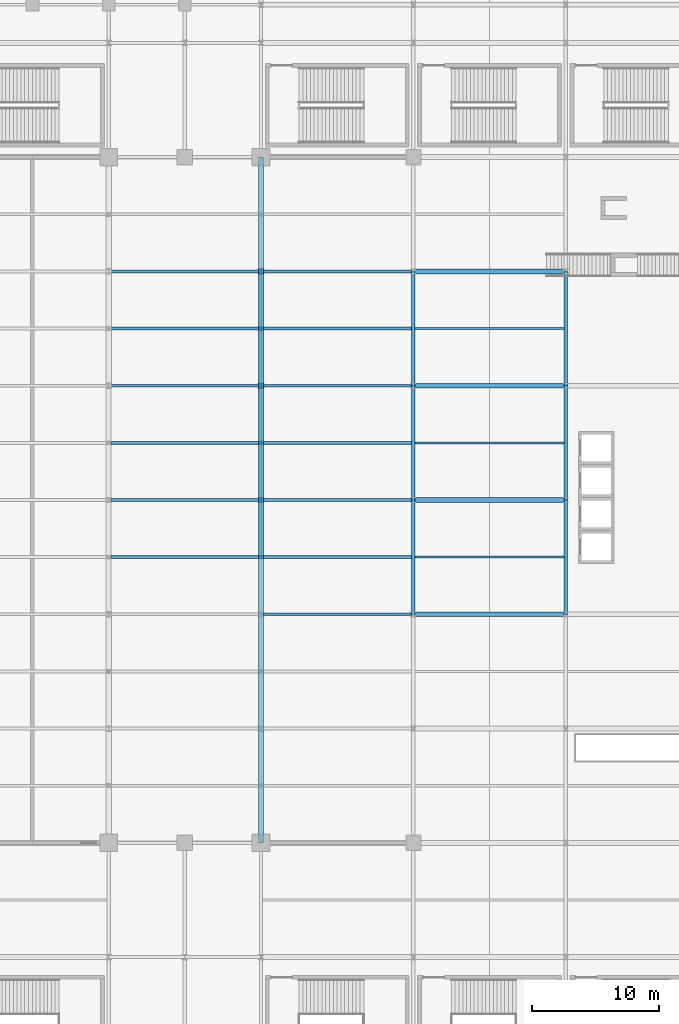
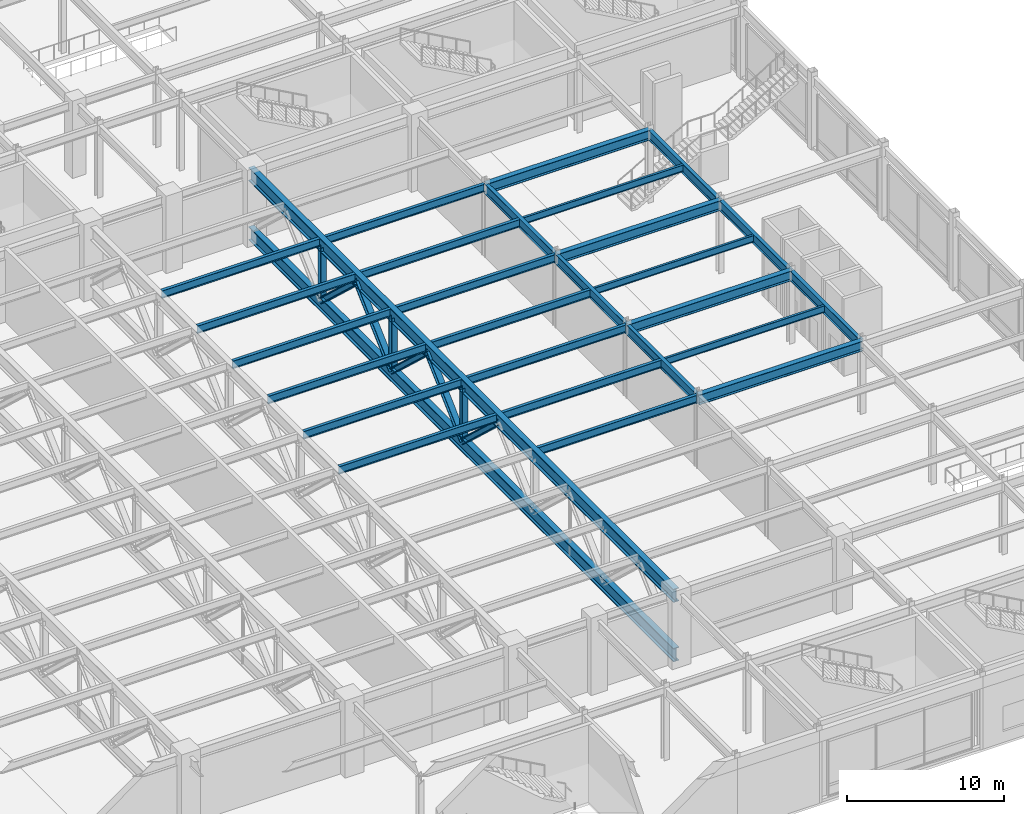
# One storey, part 41 of 108: 27 beams, 9 members.
"""IFC4 building model written with IfcOpenShell, lengths in metres."""

from ifc_helpers import new_model, si_unit, direction, frame, origin, origin_2d, place, context, subcontext, project, spatial, i_section, extrude, material, material_profile, profile_set, type_object, element, save


model = new_model("IFC4")

# Units and contexts
model_context = context("Model", 3, precision=1e-05, world=origin(), true_north=direction((0.0, 1.0)))
body_context = subcontext(model_context, "Body", "Model", "MODEL_VIEW")
ifc_project = project(units=[si_unit("LENGTHUNIT", "METRE"), si_unit("AREAUNIT", "SQUARE_METRE"), si_unit("VOLUMEUNIT", "CUBIC_METRE"), si_unit("PLANEANGLEUNIT", "RADIAN"), si_unit("MASSUNIT", "GRAM", prefix="KILO")], contexts=[model_context])

# Site, building, storey
site_placement = place(None, origin())
site = spatial("IfcSite", under=ifc_project, at=site_placement, CompositionType="ELEMENT")
building_placement = place(site_placement, origin())
building = spatial("IfcBuilding", under=site, at=building_placement, Name="Kaldorvane Square Convention Centre", CompositionType="ELEMENT")
storey_placement = place(building_placement, frame((0.0, 0.0, 12.0)))
storey = spatial("IfcBuildingStorey", under=building, at=storey_placement, Name="L02", CompositionType="ELEMENT", Elevation=12.0)

# Beams
ifc_material = material(Name="Steel ASTM A992 Gr. 50", Category="steel")
ifc_material_profile_1 = material_profile(ifc_material, i_section(OverallWidth=0.2666015625, OverallDepth=0.762298583984375, WebThickness=0.014404296875, FlangeThickness=0.0216064453125, FilletRadius=0.0164947509765625, at=origin_2d()), Name="W30X116")
ifc_profile_set_1 = profile_set([ifc_material_profile_1], Name="Steel ASTM A992 Gr. 50")
beam_type_1 = type_object("IfcBeamType", Name="BM-GR-W30X116", PredefinedType="BEAM", material=ifc_profile_set_1)
for number, where, z_axis, x_axis, name in (
    (1, (114.0, 36.0, 5.264801025390625), (0.0, 1.0, 0.0), (-1.0, 0.0, 0.0), "Transverse Girder (L02)"),
    (2, (114.0, 45.0, 5.264801025390625), (0.0, 1.0, 0.0), (-1.0, 0.0, 0.0), "Transverse Girder (L02)"),
    (3, (114.0, 54.0, 5.264801025390625), (0.0, 1.0, 0.0), (-1.0, 0.0, 0.0), "Transverse Girder (L02)"),
    (4, (126.0, 36.0, 5.264801025390625), (0.0, 1.0, 0.0), (-1.0, 0.0, 0.0), "Transverse Girder (L02)"),
    (5, (126.0, 45.0, 5.264801025390625), (0.0, 1.0, 0.0), (-1.0, 0.0, 0.0), "Transverse Girder (L02)"),
    (6, (126.0, 54.0, 5.264801025390625), (0.0, 1.0, 0.0), (-1.0, 0.0, 0.0), "Transverse Girder (L02)"),
):
    element("IfcBeam", number, at=place(storey_placement, frame(where, z_axis=z_axis, x_axis=x_axis)), inside=storey, type_object=beam_type_1, Name=name, PredefinedType="BEAM", context=body_context, shape_type="SweptSolid", body=[
        extrude(i_section(OverallWidth=0.2666015625, OverallDepth=0.762298583984375, WebThickness=0.014404296875, FlangeThickness=0.0216064453125, FilletRadius=0.0164947509765625, at=origin_2d()), origin(), (0.0, 0.0, 1.0), 9.0),
    ])
ifc_material_profile_2 = material_profile(ifc_material, i_section(OverallWidth=0.380706787109375, OverallDepth=0.773193359375, WebThickness=0.0166015625, FlangeThickness=0.027099609375, FilletRadius=0.0164947509765625, at=origin_2d()), Name="W30X173")
ifc_profile_set_2 = profile_set([ifc_material_profile_2], Name="Steel ASTM A992 Gr. 50")
beam_type_2 = type_object("IfcBeamType", Name="BM-GR-W30X173", PredefinedType="BEAM", material=ifc_profile_set_2)
for number, where, z_axis, x_axis, name in (
    (7, (114.0, 36.0, 5.2593994140625), (1.0, 0.0, 0.0), (0.0, 1.0, 0.0), "Primary Girder (L02)"),
    (8, (114.0, 45.0, 5.2593994140625), (1.0, 0.0, 0.0), (0.0, 1.0, 0.0), "Primary Girder (L02)"),
    (9, (114.0, 54.0, 5.2593994140625), (1.0, 0.0, 0.0), (0.0, 1.0, 0.0), "Primary Girder (L02)"),
    (10, (114.0, 63.0, 5.2593994140625), (1.0, 0.0, 0.0), (0.0, 1.0, 0.0), "Primary Girder (L02)"),
):
    element("IfcBeam", number, at=place(storey_placement, frame(where, z_axis=z_axis, x_axis=x_axis)), inside=storey, type_object=beam_type_2, Name=name, PredefinedType="BEAM", context=body_context, shape_type="SweptSolid", body=[
        extrude(i_section(OverallWidth=0.380706787109375, OverallDepth=0.773193359375, WebThickness=0.0166015625, FlangeThickness=0.027099609375, FilletRadius=0.0164947509765625, at=origin_2d()), origin(), (0.0, 0.0, 1.0), 12.0),
    ])
ifc_material_profile_3 = material_profile(ifc_material, i_section(OverallWidth=0.1658935546875, OverallDepth=0.5290985107421875, WebThickness=0.00970458984375, FlangeThickness=0.0135955810546875, FilletRadius=0.0126953125, at=origin_2d()), Name="W21X50")
ifc_profile_set_3 = profile_set([ifc_material_profile_3], Name="Steel ASTM A992 Gr. 50")
beam_type_3 = type_object("IfcBeamType", Name="BM-JS-W21X50", PredefinedType="JOIST", material=ifc_profile_set_3)
for number, where, z_axis, x_axis, name in (
    (11, (114.13330078125, 40.5, 5.3813934326171875), (1.0, 0.0, 0.0), (0.0, 1.0, 0.0), "Secondary Floor Joist (L02)"),
    (12, (114.13330078125, 49.5, 5.3813934326171875), (1.0, 0.0, 0.0), (0.0, 1.0, 0.0), "Secondary Floor Joist (L02)"),
    (13, (114.13330078125, 58.5, 5.3813934326171875), (1.0, 0.0, 0.0), (0.0, 1.0, 0.0), "Secondary Floor Joist (L02)"),
):
    element("IfcBeam", number, at=place(storey_placement, frame(where, z_axis=z_axis, x_axis=x_axis)), inside=storey, type_object=beam_type_3, Name=name, PredefinedType="JOIST", context=body_context, shape_type="SweptSolid", body=[
        extrude(i_section(OverallWidth=0.1658935546875, OverallDepth=0.5290985107421875, WebThickness=0.00970458984375, FlangeThickness=0.0135955810546875, FilletRadius=0.0126953125, at=origin_2d()), origin(), (0.0, 0.0, 1.0), 11.7333984375),
    ])
ifc_material_profile_4 = material_profile(ifc_material, i_section(OverallWidth=0.2277069091796875, OverallDepth=0.6027069091796875, WebThickness=0.010498046875, FlangeThickness=0.014892578125, FilletRadius=0.0126953125, at=origin_2d()), Name="W24X68")
ifc_profile_set_4 = profile_set([ifc_material_profile_4], Name="Steel ASTM A992 Gr. 50")
beam_type_4 = type_object("IfcBeamType", Name="BM-JS-W24X68", PredefinedType="JOIST", material=ifc_profile_set_4)
for number, where, z_axis, x_axis, name in (
    (14, (90.20480346679688, 40.5, 5.3446044921875), (1.0, 0.0, 0.0), (0.0, 1.0, 0.0), "Hall Composite Floor Joist (L02)"),
    (15, (90.20480346679688, 45.0, 5.3446044921875), (1.0, 0.0, 0.0), (0.0, 1.0, 0.0), "Hall Composite Floor Joist (L02)"),
    (16, (90.20480346679688, 49.5, 5.3446044921875), (1.0, 0.0, 0.0), (0.0, 1.0, 0.0), "Hall Composite Floor Joist (L02)"),
    (17, (90.20480346679688, 54.0, 5.3446044921875), (1.0, 0.0, 0.0), (0.0, 1.0, 0.0), "Hall Composite Floor Joist (L02)"),
    (18, (90.20480346679688, 58.5, 5.3446044921875), (1.0, 0.0, 0.0), (0.0, 1.0, 0.0), "Hall Composite Floor Joist (L02)"),
    (19, (90.20480346679688, 63.0, 5.3446044921875), (1.0, 0.0, 0.0), (0.0, 1.0, 0.0), "Hall Composite Floor Joist (L02)"),
):
    element("IfcBeam", number, at=place(storey_placement, frame(where, z_axis=z_axis, x_axis=x_axis)), inside=storey, type_object=beam_type_4, Name=name, PredefinedType="JOIST", context=body_context, shape_type="SweptSolid", body=[
        extrude(i_section(OverallWidth=0.2277069091796875, OverallDepth=0.6027069091796875, WebThickness=0.010498046875, FlangeThickness=0.014892578125, FilletRadius=0.0126953125, at=origin_2d()), origin(), (0.0, 0.0, 1.0), 11.59039306640625),
    ])
for number, where, z_axis, x_axis, name in (
    (20, (102.20480346679688, 36.0, 5.3446044921875), (1.0, 0.0, 0.0), (0.0, 1.0, 0.0), "Hall Composite Floor Joist (L02)"),
    (21, (102.20480346679688, 40.5, 5.3446044921875), (1.0, 0.0, 0.0), (0.0, 1.0, 0.0), "Hall Composite Floor Joist (L02)"),
    (22, (102.20480346679688, 45.0, 5.3446044921875), (1.0, 0.0, 0.0), (0.0, 1.0, 0.0), "Hall Composite Floor Joist (L02)"),
    (23, (102.20480346679688, 49.5, 5.3446044921875), (1.0, 0.0, 0.0), (0.0, 1.0, 0.0), "Hall Composite Floor Joist (L02)"),
    (24, (102.20480346679688, 54.0, 5.3446044921875), (1.0, 0.0, 0.0), (0.0, 1.0, 0.0), "Hall Composite Floor Joist (L02)"),
    (25, (102.20480346679688, 58.5, 5.3446044921875), (1.0, 0.0, 0.0), (0.0, 1.0, 0.0), "Hall Composite Floor Joist (L02)"),
    (26, (102.20480346679688, 63.0, 5.3446044921875), (1.0, 0.0, 0.0), (0.0, 1.0, 0.0), "Hall Composite Floor Joist (L02)"),
):
    element("IfcBeam", number, at=place(storey_placement, frame(where, z_axis=z_axis, x_axis=x_axis)), inside=storey, type_object=beam_type_4, Name=name, PredefinedType="JOIST", context=body_context, shape_type="SweptSolid", body=[
        extrude(i_section(OverallWidth=0.2277069091796875, OverallDepth=0.6027069091796875, WebThickness=0.010498046875, FlangeThickness=0.014892578125, FilletRadius=0.0126953125, at=origin_2d()), origin(), (0.0, 0.0, 1.0), 11.661895751953125),
    ])
ifc_material_profile_5 = material_profile(ifc_material, i_section(OverallWidth=0.40960693359375, OverallDepth=1.0413970947265625, WebThickness=0.031005859375, FlangeThickness=0.0558929443359375, FilletRadius=0.0305023193359375, at=origin_2d()), Name="W40X397")
ifc_profile_set_5 = profile_set([ifc_material_profile_5], Name="Steel ASTM A992 Gr. 50")
beam_type_5 = type_object("IfcBeamType", Name="BM-TG-W40X397", PredefinedType="USERDEFINED", material=ifc_profile_set_5)
beam_placement = place(storey_placement, frame((102.0, 18.0, 5.12530517578125), z_axis=(0.0, 1.0, 0.0), x_axis=(-1.0, 0.0, 0.0)))
element("IfcBeam", 27, at=beam_placement, inside=storey, type_object=beam_type_5, Name="Transfer Truss TT-07 Top Chord", ObjectType="TRANSFER GIRDER", PredefinedType="USERDEFINED", context=body_context, shape_type="SweptSolid", body=[
    extrude(i_section(OverallWidth=0.40960693359375, OverallDepth=1.0413970947265625, WebThickness=0.031005859375, FlangeThickness=0.0558929443359375, FilletRadius=0.0305023193359375, at=origin_2d()), origin(), (0.0, 0.0, 1.0), 54.0),
])

# Members
ifc_material_profile_6 = material_profile(ifc_material, i_section(OverallWidth=0.4062957763671875, OverallDepth=0.416107177734375, WebThickness=0.0298004150390625, FlangeThickness=0.048004150390625, FilletRadius=0.0305023193359375, at=origin_2d()), Name="W14X257")
ifc_profile_set_6 = profile_set([ifc_material_profile_6], Name="Steel ASTM A992 Gr. 50")
member_type_1 = type_object("IfcMemberType", Name="MB-BR-W14X257", PredefinedType="BRACE", material=ifc_profile_set_6)
for number, where, z_axis, x_axis, name in (
    (28, (102.0, 40.5, 4.92529296875), (0.0, 0.731436442842, -0.681909620172), (-1.0, 0.0, 0.0), "Transfer Truss TT-07 Web Diagonal 3B"),
    (29, (102.0, 45.0, 0.7299957275390625), (0.0, 0.731436442842, 0.681909620172), (-1.0, 0.0, 0.0), "Transfer Truss TT-07 Web Diagonal 4A"),
    (30, (102.0, 49.5, 4.92529296875), (0.0, 0.731436442842, -0.681909620172), (-1.0, 0.0, 0.0), "Transfer Truss TT-07 Web Diagonal 4B"),
):
    element("IfcMember", number, at=place(storey_placement, frame(where, z_axis=z_axis, x_axis=x_axis)), inside=storey, type_object=member_type_1, Name=name, PredefinedType="BRACE", context=body_context, shape_type="SweptSolid", body=[
        extrude(i_section(OverallWidth=0.4062957763671875, OverallDepth=0.416107177734375, WebThickness=0.0298004150390625, FlangeThickness=0.048004150390625, FilletRadius=0.0305023193359375, at=origin_2d()), origin(), (0.0, 0.0, 1.0), 6.15228271484375),
    ])
ifc_material_profile_7 = material_profile(ifc_material, i_section(OverallWidth=0.412200927734375, OverallDepth=0.4347991943359375, WebThickness=0.035797119140625, FlangeThickness=0.057403564453125, FilletRadius=0.0305023193359375, at=origin_2d()), Name="W14X311")
ifc_profile_set_7 = profile_set([ifc_material_profile_7], Name="Steel ASTM A992 Gr. 50")
member_type_2 = type_object("IfcMemberType", Name="MB-BR-W14X311", PredefinedType="BRACE", material=ifc_profile_set_7)
for number, where, z_axis, x_axis, name in (
    (31, (102.0, 54.0, 0.7299957275390625), (0.0, 0.731436442842, 0.681909620172), (-1.0, 0.0, 0.0), "Transfer Truss TT-07 Web Diagonal 5A"),
    (32, (102.0, 58.5, 4.92529296875), (0.0, 0.731436442842, -0.681909620172), (-1.0, 0.0, 0.0), "Transfer Truss TT-07 Web Diagonal 5B"),
):
    element("IfcMember", number, at=place(storey_placement, frame(where, z_axis=z_axis, x_axis=x_axis)), inside=storey, type_object=member_type_2, Name=name, PredefinedType="BRACE", context=body_context, shape_type="SweptSolid", body=[
        extrude(i_section(OverallWidth=0.412200927734375, OverallDepth=0.4347991943359375, WebThickness=0.035797119140625, FlangeThickness=0.057403564453125, FilletRadius=0.0305023193359375, at=origin_2d()), origin(), (0.0, 0.0, 1.0), 6.15228271484375),
    ])
ifc_material_profile_8 = material_profile(ifc_material, i_section(OverallWidth=0.40960693359375, OverallDepth=1.0413970947265625, WebThickness=0.031005859375, FlangeThickness=0.0558929443359375, FilletRadius=0.0305023193359375, at=origin_2d()), Name="W40X397")
ifc_profile_set_8 = profile_set([ifc_material_profile_8], Name="Steel ASTM A992 Gr. 50")
member_type_3 = type_object("IfcMemberType", Name="MB-CH-W40X397", PredefinedType="CHORD", material=ifc_profile_set_8)
member_placement = place(storey_placement, frame((102.0, 18.0, 0.529998779296875), z_axis=(0.0, 1.0, 0.0), x_axis=(-1.0, 0.0, 0.0)))
element("IfcMember", 33, at=member_placement, inside=storey, type_object=member_type_3, Name="Transfer Truss TT-07 Bottom Chord", PredefinedType="CHORD", context=body_context, shape_type="SweptSolid", body=[
    extrude(i_section(OverallWidth=0.40960693359375, OverallDepth=1.0413970947265625, WebThickness=0.031005859375, FlangeThickness=0.0558929443359375, FilletRadius=0.0305023193359375, at=origin_2d()), origin(), (0.0, 0.0, 1.0), 54.0),
])
ifc_material_profile_9 = material_profile(ifc_material, i_section(OverallWidth=0.3990020751953125, OverallDepth=0.3932037353515625, WebThickness=0.0225982666015625, FlangeThickness=0.0366058349609375, FilletRadius=0.0305023193359375, at=origin_2d()), Name="W14X193")
ifc_profile_set_9 = profile_set([ifc_material_profile_9], Name="Steel ASTM A992 Gr. 50")
member_type_4 = type_object("IfcMemberType", Name="MB-PS-W14X193", PredefinedType="POST", material=ifc_profile_set_9)
for number, where, z_axis, x_axis, name in (
    (34, (102.0, 45.0, 1.0099945068359375), (0.0, 0.0, 1.0), (1.0, 0.0, 0.0), "Transfer Truss TT-07 Vertical Post 3"),
    (35, (102.0, 54.0, 1.0099945068359375), (0.0, 0.0, 1.0), (1.0, 0.0, 0.0), "Transfer Truss TT-07 Vertical Post 4"),
    (36, (102.0, 63.0, 1.0099945068359375), (0.0, 0.0, 1.0), (1.0, 0.0, 0.0), "Transfer Truss TT-07 Vertical Post 5"),
):
    element("IfcMember", number, at=place(storey_placement, frame(where, z_axis=z_axis, x_axis=x_axis)), inside=storey, type_object=member_type_4, Name=name, PredefinedType="POST", context=body_context, shape_type="SweptSolid", body=[
        extrude(i_section(OverallWidth=0.3990020751953125, OverallDepth=0.3932037353515625, WebThickness=0.0225982666015625, FlangeThickness=0.0366058349609375, FilletRadius=0.0305023193359375, at=origin_2d()), origin(), (0.0, 0.0, 1.0), 3.9152984619140625),
    ])

save(model, "model.ifc")
